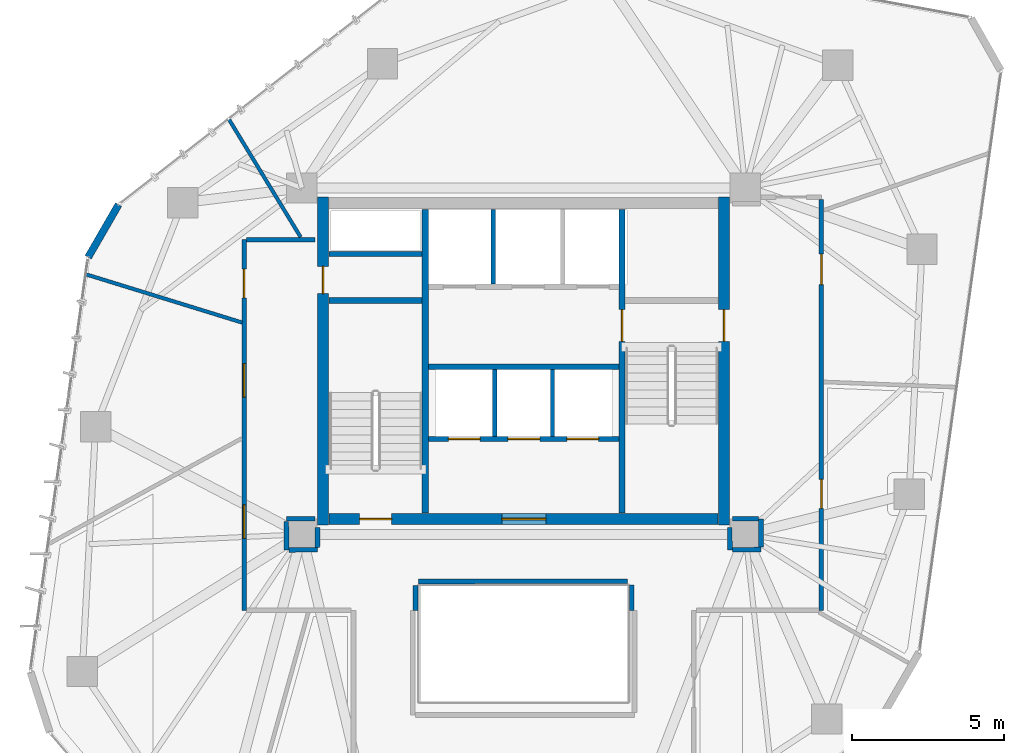
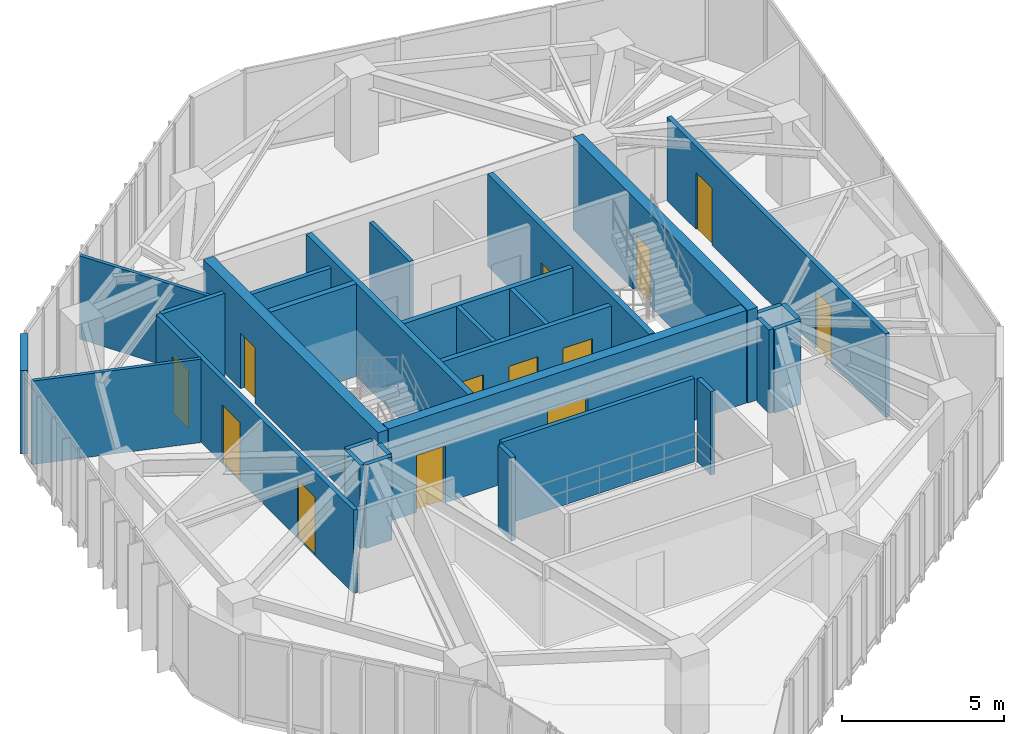
# One storey, part 18 of 21: 29 walls, 13 doors, 13 openings.
"""IFC4 building model written with IfcOpenShell, lengths in metres."""

from ifc_helpers import new_model, si_unit, direction, frame, frame_2d, origin, place, context, subcontext, project, spatial, rectangle, extrude, source, transform, mapped, material, layer, layer_set, type_object, type_shapes, element, fill, save


model = new_model("IFC4")

# Units and contexts
model_context = context("Model", 3, precision=1e-05, world=origin(), true_north=direction((0.0, 1.0)))
body_context = subcontext(model_context, "Body", "Model", "MODEL_VIEW")
ifc_project = project(units=[si_unit("LENGTHUNIT", "METRE"), si_unit("AREAUNIT", "SQUARE_METRE"), si_unit("VOLUMEUNIT", "CUBIC_METRE"), si_unit("PLANEANGLEUNIT", "RADIAN"), si_unit("MASSUNIT", "GRAM", prefix="KILO")], contexts=[model_context])

# Site, building, storey
site_placement = place(None, origin())
site = spatial("IfcSite", under=ifc_project, at=site_placement, CompositionType="ELEMENT")
building_placement = place(site_placement, origin())
building = spatial("IfcBuilding", under=site, at=building_placement, Name="Talar Marvaseh", CompositionType="ELEMENT")
storey_placement = place(building_placement, frame((0.0, 0.0, 232.699951171875)))
storey = spatial("IfcBuildingStorey", under=building, at=storey_placement, Name="L61", CompositionType="ELEMENT", Elevation=232.699951171875)

# Walls
ifc_material_1 = material(Name="Precast concrete C45/55", Category="concrete")
ifc_layer_1 = layer(ifc_material_1, 0.239990234375)
ifc_layer_set_1 = layer_set([ifc_layer_1], Name="Precast concrete C45/55")
wall_type_1 = type_object("IfcWallType", Name="Chamfered Hexagonal Corner Pier Wall Z3 240", PredefinedType="SOLIDWALL", material=ifc_layer_set_1)
wall_1_placement = place(storey_placement, frame((11.664306640625, 34.6201171875, 0.0), z_axis=(0.0, 0.0, 1.0), x_axis=(0.500031897912, 0.866006986733, 0.0)))
element("IfcWall", 1, at=wall_1_placement, inside=storey, type_object=wall_type_1, Name="L61 Chamfered Corner Limestone Pier 3", PredefinedType="SOLIDWALL", context=body_context, shape_type="SweptSolid", body=[
    extrude(rectangle(XDim=2.003173828125, YDim=0.239990234375, at=frame_2d((1.00146484375, 0.0))), origin(), (0.0, 0.0, 1.0), 3.150146484375),
])
ifc_material_2 = material(Name="Gypsum Board Partition Assembly")
ifc_layer_2 = layer(ifc_material_2, 0.155029296875)
ifc_layer_set_2 = layer_set([ifc_layer_2], Name="Gypsum Board Partition Assembly")
wall_type_2 = type_object("IfcWallType", Name="Corridor Fire-Rated Acoustic Partition 155", PredefinedType="PARTITIONING", material=ifc_layer_set_2)
wall_2_placement = place(storey_placement, frame((19.60009765625, 34.72998046875, 0.0), z_axis=(0.0, 0.0, 1.0), x_axis=(1.0, 0.0, 0.0)))
element("IfcWall", 2, at=wall_2_placement, inside=storey, type_object=wall_type_2, Name="L61 Core BOH Partition", PredefinedType="PARTITIONING", context=body_context, shape_type="SweptSolid", body=[
    extrude(rectangle(XDim=3.059814453125, YDim=0.155029296875, at=frame_2d((1.52978515625, 0.0))), origin(), (0.0, 0.0, 1.0), 3.150146484375),
])

# Wall, openings, doors
wall_3_placement = place(storey_placement, frame((16.800048828125, 23.0, 0.0), z_axis=(0.0, 0.0, 1.0), x_axis=(0.0, 1.0, 0.0)))
wall_3 = element("IfcWall", 3, at=wall_3_placement, inside=storey, type_object=wall_type_2, Name="L61 Interior Partition Wall", PredefinedType="PARTITIONING", context=body_context, shape_type="SweptSolid", body=[
    extrude(rectangle(XDim=12.199951171875, YDim=0.155029296875, at=frame_2d((6.10009765625, 0.0))), origin(), (0.0, 0.0, 1.0), 3.150146484375),
])
opening_1_placement = place(wall_3_placement, frame((2.36865234375, 0.0, 0.0)))
opening_1 = element("IfcOpeningElement", 4, at=opening_1_placement, cuts=wall_3, Name="Opening DR-RM110", PredefinedType="OPENING", context=body_context, shape_type="SweptSolid", body=[
    extrude(rectangle(XDim=1.10009765625, YDim=2.199951171875, at=frame_2d((0.550048828125, 1.10009765625))), frame((0.0, 0.08740234375, 0.0), z_axis=(0.0, -1.0, 0.0), x_axis=(1.0, 0.0, 0.0)), (0.0, 0.0, 1.0), 0.175048828125),
])
opening_2_placement = place(wall_3_placement, frame((10.281982421875, 0.0, 0.0)))
opening_2 = element("IfcOpeningElement", 5, at=opening_2_placement, cuts=wall_3, Name="Opening DR-WC095", PredefinedType="OPENING", context=body_context, shape_type="SweptSolid", body=[
    extrude(rectangle(XDim=0.949951171875, YDim=2.14990234375, at=frame_2d((0.47509765625, 1.074951171875))), frame((0.0, 0.08740234375, 0.0), z_axis=(0.0, -1.0, 0.0), x_axis=(1.0, 0.0, 0.0)), (0.0, 0.0, 1.0), 0.175048828125),
])
opening_3_placement = place(wall_3_placement, frame((7.01904296875, 0.0, 0.0)))
opening_3 = element("IfcOpeningElement", 6, at=opening_3_placement, cuts=wall_3, Name="Opening DR-RM110", PredefinedType="OPENING", context=body_context, shape_type="SweptSolid", body=[
    extrude(rectangle(XDim=1.10009765625, YDim=2.199951171875, at=frame_2d((0.550048828125, 1.10009765625))), frame((0.0, 0.08740234375, 0.0), z_axis=(0.0, -1.0, 0.0), x_axis=(1.0, 0.0, 0.0)), (0.0, 0.0, 1.0), 0.175048828125),
])
ifc_material_3 = material(Name="Acoustic Engineered Oak Timber", Category="wood")
door_type_1 = type_object("IfcDoorType", Name="Washroom and Service Room Door 950x2150", OperationType="NOTDEFINED", PredefinedType="DOOR", material=ifc_material_3)
shared_shape_1 = source(origin(), body_context, "Body", "SweptSolid", [
    extrude(rectangle(XDim=0.949951171875, YDim=2.14990234375, at=frame_2d((0.47509765625, 1.074951171875))), frame((0.0, 0.02490234375, 0.0), z_axis=(0.0, -1.0, 0.0), x_axis=(1.0, 0.0, 0.0)), (0.0, 0.0, 1.0), 0.050048828125),
])
type_shapes(door_type_1, [shared_shape_1])
door_1_placement = place(opening_2_placement, origin())
door_1 = element("IfcDoor", 7, at=door_1_placement, inside=storey, type_object=door_type_1, Name="L61 WC Public Washrooms Door", OperationType="SINGLE_SWING_RIGHT", OverallHeight=2.14990234375, OverallWidth=0.949951171875, PredefinedType="DOOR", context=body_context, shape_type="MappedRepresentation", body=[
    mapped(shared_shape_1, transform((0.0, 0.0, 0.0), x_axis=(1.0, 0.0, 0.0), y_axis=(0.0, 1.0, 0.0), z_axis=(0.0, 0.0, 1.0), scale=1.0)),
])
fill(opening_2, door_1)
door_type_2 = type_object("IfcDoorType", Name="Assembly and Reading Hall Door 1100x2200", OperationType="NOTDEFINED", PredefinedType="DOOR", material=ifc_material_3)
shared_shape_2 = source(origin(), body_context, "Body", "SweptSolid", [
    extrude(rectangle(XDim=1.10009765625, YDim=2.199951171875, at=frame_2d((0.550048828125, 1.10009765625))), frame((0.0, 0.02490234375, 0.0), z_axis=(0.0, -1.0, 0.0), x_axis=(1.0, 0.0, 0.0)), (0.0, 0.0, 1.0), 0.050048828125),
])
type_shapes(door_type_2, [shared_shape_2])
door_2_placement = place(opening_1_placement, origin())
door_2 = element("IfcDoor", 8, at=door_2_placement, inside=storey, type_object=door_type_2, Name="L61 Gallery Concierge Reception Door", OperationType="SINGLE_SWING_RIGHT", OverallHeight=2.199951171875, OverallWidth=1.10009765625, PredefinedType="DOOR", context=body_context, shape_type="MappedRepresentation", body=[
    mapped(shared_shape_2, transform((0.0, 0.0, 0.0), x_axis=(1.0, 0.0, 0.0), y_axis=(0.0, 1.0, 0.0), z_axis=(0.0, 0.0, 1.0), scale=1.0)),
])
fill(opening_1, door_2)
door_3_placement = place(opening_3_placement, origin())
door_3 = element("IfcDoor", 9, at=door_3_placement, inside=storey, type_object=door_type_2, Name="L61 Gallery Security Control Room Door", OperationType="SINGLE_SWING_LEFT", OverallHeight=2.199951171875, OverallWidth=1.10009765625, PredefinedType="DOOR", context=body_context, shape_type="MappedRepresentation", body=[
    mapped(shared_shape_2, transform((0.0, 0.0, 0.0), x_axis=(1.0, 0.0, 0.0), y_axis=(0.0, 1.0, 0.0), z_axis=(0.0, 0.0, 1.0), scale=1.0)),
])
fill(opening_3, door_3)

wall_4_placement = place(storey_placement, frame((35.800048828125, 36.5166015625, 0.0), z_axis=(0.0, 0.0, 1.0), x_axis=(0.0, -1.0, 0.0)))
wall_4 = element("IfcWall", 10, at=wall_4_placement, inside=storey, type_object=wall_type_2, Name="L61 Interior Partition Wall", PredefinedType="PARTITIONING", context=body_context, shape_type="SweptSolid", body=[
    extrude(rectangle(XDim=13.5166015625, YDim=0.155029296875, at=frame_2d((6.75830078125, 0.0))), origin(), (0.0, 0.0, 1.0), 3.150146484375),
])
opening_4_placement = place(wall_4_placement, frame((9.210693359375, 0.0, 0.0)))
opening_4 = element("IfcOpeningElement", 11, at=opening_4_placement, cuts=wall_4, Name="Opening DR-WC095", PredefinedType="OPENING", context=body_context, shape_type="SweptSolid", body=[
    extrude(rectangle(XDim=0.949951171875, YDim=2.14990234375, at=frame_2d((0.47509765625, 1.074951171875))), frame((0.0, 0.08740234375, 0.0), z_axis=(0.0, -1.0, 0.0), x_axis=(1.0, 0.0, 0.0)), (0.0, 0.0, 1.0), 0.175048828125),
])
opening_5_placement = place(wall_4_placement, frame((1.794189453125, 0.0, 0.0)))
opening_5 = element("IfcOpeningElement", 12, at=opening_5_placement, cuts=wall_4, Name="Opening DR-RM100", PredefinedType="OPENING", context=body_context, shape_type="SweptSolid", body=[
    extrude(rectangle(XDim=1.0, YDim=2.14990234375, at=frame_2d((0.5, 1.074951171875))), frame((0.0, 0.08740234375, 0.0), z_axis=(0.0, -1.0, 0.0), x_axis=(1.0, 0.0, 0.0)), (0.0, 0.0, 1.0), 0.175048828125),
])
door_4_placement = place(opening_4_placement, origin())
door_4 = element("IfcDoor", 13, at=door_4_placement, inside=storey, type_object=door_type_1, Name="L61 Accessible WC Block Door", OperationType="SINGLE_SWING_LEFT", OverallHeight=2.14990234375, OverallWidth=0.949951171875, PredefinedType="DOOR", context=body_context, shape_type="MappedRepresentation", body=[
    mapped(shared_shape_1, transform((0.0, 0.0, 0.0), x_axis=(1.0, 0.0, 0.0), y_axis=(0.0, 1.0, 0.0), z_axis=(0.0, 0.0, 1.0), scale=1.0)),
])
fill(opening_4, door_4)
door_type_3 = type_object("IfcDoorType", Name="Corridor Fire-Rated Gallery Door 1000x2150", OperationType="NOTDEFINED", PredefinedType="DOOR", material=ifc_material_3)
shared_shape_3 = source(origin(), body_context, "Body", "SweptSolid", [
    extrude(rectangle(XDim=1.0, YDim=2.14990234375, at=frame_2d((0.5, 1.074951171875))), frame((0.0, 0.02490234375, 0.0), z_axis=(0.0, -1.0, 0.0), x_axis=(1.0, 0.0, 0.0)), (0.0, 0.0, 1.0), 0.050048828125),
])
type_shapes(door_type_3, [shared_shape_3])
door_5_placement = place(opening_5_placement, origin())
door_5 = element("IfcDoor", 14, at=door_5_placement, inside=storey, type_object=door_type_3, Name="L61 Registrar Mail and Post Room Door", OperationType="SINGLE_SWING_RIGHT", OverallHeight=2.14990234375, OverallWidth=1.0, PredefinedType="DOOR", context=body_context, shape_type="MappedRepresentation", body=[
    mapped(shared_shape_3, transform((0.0, 0.0, 0.0), x_axis=(1.0, 0.0, 0.0), y_axis=(0.0, 1.0, 0.0), z_axis=(0.0, 0.0, 1.0), scale=1.0)),
])
fill(opening_5, door_5)

# Walls
wall_5_placement = place(storey_placement, frame((16.883544921875, 35.199951171875, 0.0), z_axis=(0.0, 0.0, 1.0), x_axis=(1.0, 0.0, 0.0)))
element("IfcWall", 15, at=wall_5_placement, inside=storey, type_object=wall_type_2, Name="L61 Interior Partition Wall", PredefinedType="PARTITIONING", context=body_context, shape_type="SweptSolid", body=[
    extrude(rectangle(XDim=2.246337890625, YDim=0.155029296875, at=frame_2d((1.123046875, 0.0))), origin(), (0.0, 0.0, 1.0), 3.150146484375),
])
wall_6_placement = place(storey_placement, frame((19.1298828125, 26.0146484375, 0.0), z_axis=(0.0, 0.0, 1.0), x_axis=(-0.99999026157, -0.004413248818, 0.0)))
element("IfcWall", 16, at=wall_6_placement, inside=storey, type_object=wall_type_2, Name="L61 Interior Partition Wall", PredefinedType="PARTITIONING", context=body_context, shape_type="SweptSolid", body=[
    extrude(rectangle(XDim=0.9404296875, YDim=0.155029296875, at=frame_2d((0.47021484375, 0.0))), origin(), (0.0, 0.0, 1.0), 3.150146484375),
])
wall_7_placement = place(storey_placement, frame((18.189697265625, 25.927001953125, 0.0), z_axis=(0.0, 0.0, 1.0), x_axis=(0.002078997586, -0.999997838882, 0.0)))
element("IfcWall", 17, at=wall_7_placement, inside=storey, type_object=wall_type_2, Name="L61 Interior Partition Wall", PredefinedType="PARTITIONING", context=body_context, shape_type="SweptSolid", body=[
    extrude(rectangle(XDim=0.939453125, YDim=0.155029296875, at=frame_2d((0.4697265625, 0.0))), origin(), (0.0, 0.0, 1.0), 3.150146484375),
])
wall_8_placement = place(storey_placement, frame((18.275146484375, 24.987548828125, 0.0), z_axis=(0.0, 0.0, 1.0), x_axis=(0.999999692748, 0.0007839036, 0.0)))
element("IfcWall", 18, at=wall_8_placement, inside=storey, type_object=wall_type_2, Name="L61 Interior Partition Wall", PredefinedType="PARTITIONING", context=body_context, shape_type="SweptSolid", body=[
    extrude(rectangle(XDim=0.934326171875, YDim=0.155029296875, at=frame_2d((0.46728515625, 0.0))), origin(), (0.0, 0.0, 1.0), 3.150146484375),
])
wall_9_placement = place(storey_placement, frame((19.210205078125, 25.072021484375, 0.0), z_axis=(0.0, 0.0, 1.0), x_axis=(0.007420945932, 0.999972464402, 0.0)))
element("IfcWall", 19, at=wall_9_placement, inside=storey, type_object=wall_type_2, Name="L61 Interior Partition Wall", PredefinedType="PARTITIONING", context=body_context, shape_type="SweptSolid", body=[
    extrude(rectangle(XDim=0.657958984375, YDim=0.155029296875, at=frame_2d((0.3291015625, 0.0))), origin(), (0.0, 0.0, 1.0), 3.150146484375),
])
wall_10_placement = place(storey_placement, frame((32.784912109375, 25.72998046875, 0.0), z_axis=(0.0, 0.0, 1.0), x_axis=(0.007570553288, -0.999971342951, 0.0)))
element("IfcWall", 20, at=wall_10_placement, inside=storey, type_object=wall_type_2, Name="L61 Interior Partition Wall", PredefinedType="PARTITIONING", context=body_context, shape_type="SweptSolid", body=[
    extrude(rectangle(XDim=0.74169921875, YDim=0.155029296875, at=frame_2d((0.370849609375, 0.0))), origin(), (0.0, 0.0, 1.0), 3.150146484375),
])
wall_11_placement = place(storey_placement, frame((32.8740234375, 24.9892578125, 0.0), z_axis=(0.0, 0.0, 1.0), x_axis=(0.999934835738, 0.01141596595, 0.0)))
element("IfcWall", 21, at=wall_11_placement, inside=storey, type_object=wall_type_2, Name="L61 Interior Partition Wall", PredefinedType="PARTITIONING", context=body_context, shape_type="SweptSolid", body=[
    extrude(rectangle(XDim=0.94091796875, YDim=0.155029296875, at=frame_2d((0.470458984375, 0.0))), origin(), (0.0, 0.0, 1.0), 3.150146484375),
])
wall_12_placement = place(storey_placement, frame((33.814697265625, 25.08349609375, 0.0), z_axis=(0.0, 0.0, 1.0), x_axis=(-0.004477173984, 0.999989977406, 0.0)))
element("IfcWall", 22, at=wall_12_placement, inside=storey, type_object=wall_type_2, Name="L61 Interior Partition Wall", PredefinedType="PARTITIONING", context=body_context, shape_type="SweptSolid", body=[
    extrude(rectangle(XDim=0.927001953125, YDim=0.155029296875, at=frame_2d((0.46337890625, 0.0))), origin(), (0.0, 0.0, 1.0), 3.150146484375),
])
wall_13_placement = place(storey_placement, frame((33.72705078125, 26.010986328125, 0.0), z_axis=(0.0, 0.0, 1.0), x_axis=(-0.999990868706, 0.004273465251, 0.0)))
element("IfcWall", 23, at=wall_13_placement, inside=storey, type_object=wall_type_2, Name="L61 Interior Partition Wall", PredefinedType="PARTITIONING", context=body_context, shape_type="SweptSolid", body=[
    extrude(rectangle(XDim=0.85693359375, YDim=0.155029296875, at=frame_2d((0.428466796875, 0.0))), origin(), (0.0, 0.0, 1.0), 3.150146484375),
])
wall_14_placement = place(storey_placement, frame((29.415771484375, 23.959228515625, 0.0), z_axis=(0.0, 0.0, 1.0), x_axis=(-0.999998607957, -0.001668557745, 0.0)))
element("IfcWall", 24, at=wall_14_placement, inside=storey, type_object=wall_type_2, Name="L61 Interior Partition Wall", PredefinedType="PARTITIONING", context=body_context, shape_type="SweptSolid", body=[
    extrude(rectangle(XDim=6.876953125, YDim=0.155029296875, at=frame_2d((3.4384765625, 0.0))), origin(), (0.0, 0.0, 1.0), 3.150146484375),
])
wall_15_placement = place(storey_placement, frame((22.44091796875, 23.815673828125, 0.0), z_axis=(0.0, 0.0, 1.0), x_axis=(-0.001197245475, -0.999999283301, 0.0)))
element("IfcWall", 25, at=wall_15_placement, inside=storey, type_object=wall_type_2, Name="L61 Interior Partition Wall", PredefinedType="PARTITIONING", context=body_context, shape_type="SweptSolid", body=[
    extrude(rectangle(XDim=0.815673828125, YDim=0.155029296875, at=frame_2d((0.40771484375, 0.0))), origin(), (0.0, 0.0, 1.0), 3.150146484375),
])
wall_16_placement = place(storey_placement, frame((29.56005859375, 23.0, 0.0), z_axis=(0.0, 0.0, 1.0), x_axis=(-0.003817887006, 0.999992711843, 0.0)))
element("IfcWall", 26, at=wall_16_placement, inside=storey, type_object=wall_type_2, Name="L61 Interior Partition Wall", PredefinedType="PARTITIONING", context=body_context, shape_type="SweptSolid", body=[
    extrude(rectangle(XDim=0.831298828125, YDim=0.155029296875, at=frame_2d((0.41552734375, 0.0))), origin(), (0.0, 0.0, 1.0), 3.150146484375),
])
ifc_layer_3 = layer(ifc_material_2, 0.1201171875)
ifc_layer_set_3 = layer_set([ifc_layer_3], Name="Gypsum Board Partition Assembly")
wall_type_3 = type_object("IfcWallType", Name="Demountable Studio Room Partition 120", PredefinedType="PARTITIONING", material=ifc_layer_set_3)
wall_17_placement = place(storey_placement, frame((18.6591796875, 35.283447265625, 0.0), z_axis=(0.0, 0.0, 1.0), x_axis=(-0.52008515909, 0.854114411127, 0.0)))
element("IfcWall", 27, at=wall_17_placement, inside=storey, type_object=wall_type_3, Name="L61 Interior Partition Wall", PredefinedType="PARTITIONING", context=body_context, shape_type="SweptSolid", body=[
    extrude(rectangle(XDim=4.538818359375, YDim=0.1201171875, at=frame_2d((2.26953125, 0.0))), origin(), (0.0, 0.0, 1.0), 3.150146484375),
])
wall_18_placement = place(storey_placement, frame((16.73779296875, 32.46923828125, 0.0), z_axis=(0.0, 0.0, 1.0), x_axis=(-0.955493535914, 0.295012038443, 0.0)))
element("IfcWall", 28, at=wall_18_placement, inside=storey, type_object=wall_type_3, Name="L61 Interior Partition Wall", PredefinedType="PARTITIONING", context=body_context, shape_type="SweptSolid", body=[
    extrude(rectangle(XDim=5.370849609375, YDim=0.1201171875, at=frame_2d((2.685546875, 0.0))), origin(), (0.0, 0.0, 1.0), 3.150146484375),
])
ifc_layer_4 = layer(ifc_material_1, 0.14501953125)
ifc_layer_set_4 = layer_set([ifc_layer_4], Name="Precast concrete C45/55")
wall_type_4 = type_object("IfcWallType", Name="Fire-Rated Lift Divider Wall 145", PredefinedType="SOLIDWALL", material=ifc_layer_set_4)
wall_19_placement = place(storey_placement, frame((25.0, 33.743408203125, 0.0), z_axis=(0.0, 0.0, 1.0), x_axis=(0.0, 1.0, 0.0)))
element("IfcWall", 29, at=wall_19_placement, inside=storey, type_object=wall_type_4, Name="L61 FFL-1/FFL-2 Divider", PredefinedType="SOLIDWALL", context=body_context, shape_type="SweptSolid", body=[
    extrude(rectangle(XDim=2.45654296875, YDim=0.14501953125, at=frame_2d((1.228271484375, 0.0))), origin(), (0.0, 0.0, 1.0), 3.150146484375),
])
for number, where, z_axis, x_axis, name in (
    (30, (25.050048828125, 28.719970703125, 0.0), (0.0, 0.0, 1.0), (0.0, 1.0, 0.0), "L61 PL-H1/PL-H2 Divider"),
    (31, (26.949951171875, 28.719970703125, 0.0), (0.0, 0.0, 1.0), (0.0, 1.0, 0.0), "L61 PL-H2/PL-H3 Divider"),
):
    element("IfcWall", number, at=place(storey_placement, frame(where, z_axis=z_axis, x_axis=x_axis)), inside=storey, type_object=wall_type_4, Name=name, PredefinedType="SOLIDWALL", context=body_context, shape_type="SweptSolid", body=[
        extrude(rectangle(XDim=2.20654296875, YDim=0.14501953125, at=frame_2d((1.103271484375, 0.0))), origin(), (0.0, 0.0, 1.0), 3.150146484375),
    ])
ifc_layer_5 = layer(ifc_material_1, 0.175048828125)
ifc_layer_set_5 = layer_set([ifc_layer_5], Name="Precast concrete C45/55")
wall_type_5 = type_object("IfcWallType", Name="Fire-Rated Lift Hoistway Enclosure Wall 175", PredefinedType="SOLIDWALL", material=ifc_layer_set_5)
wall_20_placement = place(storey_placement, frame((22.860107421875, 31.02001953125, 0.0), z_axis=(0.0, 0.0, 1.0), x_axis=(1.0, 0.0, 0.0)))
element("IfcWall", 32, at=wall_20_placement, inside=storey, type_object=wall_type_5, Name="L61 Firefighting Lobby South Smoke Wall", PredefinedType="SOLIDWALL", context=body_context, shape_type="SweptSolid", body=[
    extrude(rectangle(XDim=6.27978515625, YDim=0.175048828125, at=frame_2d((3.139892578125, 0.0))), origin(), (0.0, 0.0, 1.0), 3.150146484375),
])

# Wall, openings, doors
wall_21_placement = place(storey_placement, frame((22.860107421875, 28.639892578125, 0.0), z_axis=(0.0, 0.0, 1.0), x_axis=(1.0, 0.0, 0.0)))
wall_21 = element("IfcWall", 33, at=wall_21_placement, inside=storey, type_object=wall_type_5, Name="L61 High-Rise Lift Bank Front Wall", PredefinedType="SOLIDWALL", context=body_context, shape_type="SweptSolid", body=[
    extrude(rectangle(XDim=6.27978515625, YDim=0.175048828125, at=frame_2d((3.139892578125, 0.0))), origin(), (0.0, 0.0, 1.0), 3.150146484375),
])
opening_6_placement = place(wall_21_placement, frame((0.659912109375, 0.0, 0.0)))
opening_6 = element("IfcOpeningElement", 34, at=opening_6_placement, cuts=wall_21, Name="Opening LD-PLH1", PredefinedType="OPENING", context=body_context, shape_type="SweptSolid", body=[
    extrude(rectangle(XDim=1.050048828125, YDim=2.14990234375, at=frame_2d((0.52490234375, 1.074951171875))), frame((0.0, 0.09765625, 0.0), z_axis=(0.0, -1.0, 0.0), x_axis=(1.0, 0.0, 0.0)), (0.0, 0.0, 1.0), 0.195068359375),
])
opening_7_placement = place(wall_21_placement, frame((2.6201171875, 0.0, 0.0)))
opening_7 = element("IfcOpeningElement", 35, at=opening_7_placement, cuts=wall_21, Name="Opening LD-PLH2", PredefinedType="OPENING", context=body_context, shape_type="SweptSolid", body=[
    extrude(rectangle(XDim=1.050048828125, YDim=2.14990234375, at=frame_2d((0.52490234375, 1.074951171875))), frame((0.0, 0.09765625, 0.0), z_axis=(0.0, -1.0, 0.0), x_axis=(1.0, 0.0, 0.0)), (0.0, 0.0, 1.0), 0.195068359375),
])
opening_8_placement = place(wall_21_placement, frame((4.56005859375, 0.0, 0.0)))
opening_8 = element("IfcOpeningElement", 36, at=opening_8_placement, cuts=wall_21, Name="Opening LD-PLH3", PredefinedType="OPENING", context=body_context, shape_type="SweptSolid", body=[
    extrude(rectangle(XDim=1.050048828125, YDim=2.14990234375, at=frame_2d((0.52490234375, 1.074951171875))), frame((0.0, 0.09765625, 0.0), z_axis=(0.0, -1.0, 0.0), x_axis=(1.0, 0.0, 0.0)), (0.0, 0.0, 1.0), 0.195068359375),
])
ifc_material_4 = material(Name="Stainless Steel Grade 316", Category="steel")
door_type_4 = type_object("IfcDoorType", Name="Automatic Sliding Lift Landing Door 1050x2150", OperationType="NOTDEFINED", PredefinedType="DOOR", material=ifc_material_4)
shared_shape_4 = source(origin(), body_context, "Body", "SweptSolid", [
    extrude(rectangle(XDim=1.050048828125, YDim=2.14990234375, at=frame_2d((0.52490234375, 1.074951171875))), frame((0.0, 0.02490234375, 0.0), z_axis=(0.0, -1.0, 0.0), x_axis=(1.0, 0.0, 0.0)), (0.0, 0.0, 1.0), 0.050048828125),
])
type_shapes(door_type_4, [shared_shape_4])
door_6_placement = place(opening_6_placement, origin())
door_6 = element("IfcDoor", 37, at=door_6_placement, inside=storey, type_object=door_type_4, Name="L61 Lift PL-H1 Sliding Landing Door", OperationType="SLIDING_TO_LEFT", OverallHeight=2.14990234375, OverallWidth=1.050048828125, PredefinedType="DOOR", context=body_context, shape_type="MappedRepresentation", body=[
    mapped(shared_shape_4, transform((0.0, 0.0, 0.0), x_axis=(1.0, 0.0, 0.0), y_axis=(0.0, 1.0, 0.0), z_axis=(0.0, 0.0, 1.0), scale=1.0)),
])
fill(opening_6, door_6)
door_7_placement = place(opening_7_placement, origin())
door_7 = element("IfcDoor", 38, at=door_7_placement, inside=storey, type_object=door_type_4, Name="L61 Lift PL-H2 Sliding Landing Door", OperationType="SLIDING_TO_LEFT", OverallHeight=2.14990234375, OverallWidth=1.050048828125, PredefinedType="DOOR", context=body_context, shape_type="MappedRepresentation", body=[
    mapped(shared_shape_4, transform((0.0, 0.0, 0.0), x_axis=(1.0, 0.0, 0.0), y_axis=(0.0, 1.0, 0.0), z_axis=(0.0, 0.0, 1.0), scale=1.0)),
])
fill(opening_7, door_7)
door_8_placement = place(opening_8_placement, origin())
door_8 = element("IfcDoor", 39, at=door_8_placement, inside=storey, type_object=door_type_4, Name="L61 Lift PL-H3 Sliding Landing Door", OperationType="SLIDING_TO_LEFT", OverallHeight=2.14990234375, OverallWidth=1.050048828125, PredefinedType="DOOR", context=body_context, shape_type="MappedRepresentation", body=[
    mapped(shared_shape_4, transform((0.0, 0.0, 0.0), x_axis=(1.0, 0.0, 0.0), y_axis=(0.0, 1.0, 0.0), z_axis=(0.0, 0.0, 1.0), scale=1.0)),
])
fill(opening_8, door_8)

# Wall
ifc_material_5 = material(Name="Concrete C50/60", Category="concrete")
ifc_layer_6 = layer(ifc_material_5, 0.199951171875)
ifc_layer_set_6 = layer_set([ifc_layer_6], Name="Concrete C50/60")
wall_type_6 = type_object("IfcWallType", Name="Stair Shaft Structural Concrete Shear Wall 200", PredefinedType="SHEAR", material=ifc_layer_set_6)
wall_22_placement = place(storey_placement, frame((22.760009765625, 26.199951171875, 0.0), z_axis=(0.0, 0.0, 1.0), x_axis=(0.0, 1.0, 0.0)))
element("IfcWall", 40, at=wall_22_placement, inside=storey, type_object=wall_type_6, Name="L61 Core West Stair Shear Wall", PredefinedType="SHEAR", context=body_context, shape_type="SweptSolid", body=[
    extrude(rectangle(XDim=10.0, YDim=0.199951171875, at=frame_2d((5.0, 0.0))), origin(), (0.0, 0.0, 1.0), 3.5),
])

# Wall, opening, door
wall_23_placement = place(storey_placement, frame((29.239990234375, 26.199951171875, 0.0), z_axis=(0.0, 0.0, 1.0), x_axis=(0.0, 1.0, 0.0)))
wall_23 = element("IfcWall", 41, at=wall_23_placement, inside=storey, type_object=wall_type_6, Name="L61 Core East Stair Shear Wall", PredefinedType="SHEAR", context=body_context, shape_type="SweptSolid", body=[
    extrude(rectangle(XDim=10.0, YDim=0.199951171875, at=frame_2d((5.0, 0.0))), origin(), (0.0, 0.0, 1.0), 3.5),
])
opening_9_placement = place(wall_23_placement, frame((5.64990234375, 0.0, 0.0)))
opening_9 = element("IfcOpeningElement", 42, at=opening_9_placement, cuts=wall_23, Name="Opening DR-ST105", PredefinedType="OPENING", context=body_context, shape_type="SweptSolid", body=[
    extrude(rectangle(XDim=1.050048828125, YDim=2.14990234375, at=frame_2d((0.52490234375, 1.074951171875))), frame((0.0, 0.10986328125, 0.0), z_axis=(0.0, -1.0, 0.0), x_axis=(1.0, 0.0, 0.0)), (0.0, 0.0, 1.0), 0.219970703125),
])
ifc_material_6 = material(Name="Fire-Rated Steel Door Leaf", Category="steel")
door_type_5 = type_object("IfcDoorType", Name="Protected Exit Stair Fire Door 1050x2150", OperationType="NOTDEFINED", PredefinedType="DOOR", material=ifc_material_6)
shared_shape_5 = source(origin(), body_context, "Body", "SweptSolid", [
    extrude(rectangle(XDim=1.050048828125, YDim=2.14990234375, at=frame_2d((0.52490234375, 1.074951171875))), frame((0.0, 0.02490234375, 0.0), z_axis=(0.0, -1.0, 0.0), x_axis=(1.0, 0.0, 0.0)), (0.0, 0.0, 1.0), 0.050048828125),
])
type_shapes(door_type_5, [shared_shape_5])
door_9_placement = place(opening_9_placement, origin())
door_9 = element("IfcDoor", 43, at=door_9_placement, inside=storey, type_object=door_type_5, Name="L61 Firefighting Lobby to Stair ST-2 Door", OperationType="SINGLE_SWING_LEFT", OverallHeight=2.14990234375, OverallWidth=1.050048828125, PredefinedType="DOOR", context=body_context, shape_type="MappedRepresentation", body=[
    mapped(shared_shape_5, transform((0.0, 0.0, 0.0), x_axis=(1.0, 0.0, 0.0), y_axis=(0.0, 1.0, 0.0), z_axis=(0.0, 0.0, 1.0), scale=1.0)),
])
fill(opening_9, door_9)

# Wall
wall_24_placement = place(storey_placement, frame((19.60009765625, 33.199951171875, 0.0), z_axis=(0.0, 0.0, 1.0), x_axis=(1.0, 0.0, 0.0)))
element("IfcWall", 44, at=wall_24_placement, inside=storey, type_object=wall_type_6, Name="L61 Stair ST-1 North Shear Wall", PredefinedType="SHEAR", context=body_context, shape_type="SweptSolid", body=[
    extrude(rectangle(XDim=3.059814453125, YDim=0.199951171875, at=frame_2d((1.52978515625, 0.0))), origin(), (0.0, 0.0, 1.0), 3.5),
])

# Wall, opening, door
ifc_layer_7 = layer(ifc_material_5, 0.360107421875)
ifc_layer_set_7 = layer_set([ifc_layer_7], Name="Concrete C50/60")
wall_type_7 = type_object("IfcWallType", Name="Upper Core Reinforced Concrete Shear Wall 360", PredefinedType="SHEAR", material=ifc_layer_set_7)
wall_25_placement = place(storey_placement, frame((19.39990234375, 25.800048828125, 0.0), z_axis=(0.0, 0.0, 1.0), x_axis=(0.0, 1.0, 0.0)))
wall_25 = element("IfcWall", 45, at=wall_25_placement, inside=storey, type_object=wall_type_7, Name="L61 West Core Shear Wall", PredefinedType="SHEAR", context=body_context, shape_type="SweptSolid", body=[
    extrude(rectangle(XDim=10.800048828125, YDim=0.360107421875, at=frame_2d((5.39990234375, 0.0))), origin(), (0.0, 0.0, 1.0), 3.5),
])
opening_10_placement = place(wall_25_placement, frame((7.6201171875, 0.0, 0.0)))
opening_10 = element("IfcOpeningElement", 46, at=opening_10_placement, cuts=wall_25, Name="Opening DR-BOH090", PredefinedType="OPENING", context=body_context, shape_type="SweptSolid", body=[
    extrude(rectangle(XDim=0.89990234375, YDim=2.10009765625, at=frame_2d((0.449951171875, 1.050048828125))), frame((0.0, 0.18994140625, 0.0), z_axis=(0.0, -1.0, 0.0), x_axis=(1.0, 0.0, 0.0)), (0.0, 0.0, 1.0), 0.380126953125),
])
door_type_6 = type_object("IfcDoorType", Name="Core Back-of-House Service Door 900x2100", OperationType="NOTDEFINED", PredefinedType="DOOR", material=ifc_material_6)
shared_shape_6 = source(origin(), body_context, "Body", "SweptSolid", [
    extrude(rectangle(XDim=0.89990234375, YDim=2.10009765625, at=frame_2d((0.449951171875, 1.050048828125))), frame((0.0, 0.02490234375, 0.0), z_axis=(0.0, -1.0, 0.0), x_axis=(1.0, 0.0, 0.0)), (0.0, 0.0, 1.0), 0.050048828125),
])
type_shapes(door_type_6, [shared_shape_6])
door_10_placement = place(opening_10_placement, origin())
door_10 = element("IfcDoor", 47, at=door_10_placement, inside=storey, type_object=door_type_6, Name="L61 Cleaner Core West Closet Door", OperationType="SINGLE_SWING_LEFT", OverallHeight=2.10009765625, OverallWidth=0.89990234375, PredefinedType="DOOR", context=body_context, shape_type="MappedRepresentation", body=[
    mapped(shared_shape_6, transform((0.0, 0.0, 0.0), x_axis=(1.0, 0.0, 0.0), y_axis=(0.0, 1.0, 0.0), z_axis=(0.0, 0.0, 1.0), scale=1.0)),
])
fill(opening_10, door_10)

wall_26_placement = place(storey_placement, frame((32.60009765625, 36.60009765625, 0.0), z_axis=(0.0, 0.0, 1.0), x_axis=(0.0, -1.0, 0.0)))
wall_26 = element("IfcWall", 48, at=wall_26_placement, inside=storey, type_object=wall_type_7, Name="L61 East Core Shear Wall", PredefinedType="SHEAR", context=body_context, shape_type="SweptSolid", body=[
    extrude(rectangle(XDim=10.800048828125, YDim=0.360107421875, at=frame_2d((5.39990234375, 0.0))), origin(), (0.0, 0.0, 1.0), 3.5),
])
opening_11_placement = place(wall_26_placement, frame((3.699951171875, 0.0, 0.0)))
opening_11 = element("IfcOpeningElement", 49, at=opening_11_placement, cuts=wall_26, Name="Opening DR-ST105", PredefinedType="OPENING", context=body_context, shape_type="SweptSolid", body=[
    extrude(rectangle(XDim=1.050048828125, YDim=2.14990234375, at=frame_2d((0.52490234375, 1.074951171875))), frame((0.0, 0.18994140625, 0.0), z_axis=(0.0, -1.0, 0.0), x_axis=(1.0, 0.0, 0.0)), (0.0, 0.0, 1.0), 0.380126953125),
])
door_11_placement = place(opening_11_placement, origin())
door_11 = element("IfcDoor", 50, at=door_11_placement, inside=storey, type_object=door_type_5, Name="L61 Stair ST-2 Corridor Exit Door", OperationType="SINGLE_SWING_LEFT", OverallHeight=2.14990234375, OverallWidth=1.050048828125, PredefinedType="DOOR", context=body_context, shape_type="MappedRepresentation", body=[
    mapped(shared_shape_5, transform((0.0, 0.0, 0.0), x_axis=(1.0, 0.0, 0.0), y_axis=(0.0, 1.0, 0.0), z_axis=(0.0, 0.0, 1.0), scale=1.0)),
])
fill(opening_11, door_11)

# Wall, openings, doors
wall_27_placement = place(storey_placement, frame((32.39990234375, 26.0, 0.0), z_axis=(0.0, 0.0, 1.0), x_axis=(-1.0, 0.0, 0.0)))
wall_27 = element("IfcWall", 51, at=wall_27_placement, inside=storey, type_object=wall_type_7, Name="L61 South Core Shear Wall", PredefinedType="SHEAR", context=body_context, shape_type="SweptSolid", body=[
    extrude(rectangle(XDim=12.7998046875, YDim=0.360107421875, at=frame_2d((6.39990234375, 0.0))), origin(), (0.0, 0.0, 1.0), 3.5),
])
opening_12_placement = place(wall_27_placement, frame((10.75, 0.0, 0.0)))
opening_12 = element("IfcOpeningElement", 52, at=opening_12_placement, cuts=wall_27, Name="Opening DR-ST105", PredefinedType="OPENING", context=body_context, shape_type="SweptSolid", body=[
    extrude(rectangle(XDim=1.050048828125, YDim=2.14990234375, at=frame_2d((0.52490234375, 1.074951171875))), frame((0.0, 0.18994140625, 0.0), z_axis=(0.0, -1.0, 0.0), x_axis=(1.0, 0.0, 0.0)), (0.0, 0.0, 1.0), 0.380126953125),
])
opening_13_placement = place(wall_27_placement, frame((5.669921875, 0.0, 0.0)))
opening_13 = element("IfcOpeningElement", 53, at=opening_13_placement, cuts=wall_27, Name="Opening DR-LBY145", PredefinedType="OPENING", context=body_context, shape_type="SweptSolid", body=[
    extrude(rectangle(XDim=1.449951171875, YDim=2.199951171875, at=frame_2d((0.72509765625, 1.10009765625))), frame((0.0, 0.18994140625, 0.0), z_axis=(0.0, -1.0, 0.0), x_axis=(1.0, 0.0, 0.0)), (0.0, 0.0, 1.0), 0.380126953125),
])
door_12_placement = place(opening_12_placement, origin())
door_12 = element("IfcDoor", 54, at=door_12_placement, inside=storey, type_object=door_type_5, Name="L61 Stair ST-1 Exit Door", OperationType="SINGLE_SWING_RIGHT", OverallHeight=2.14990234375, OverallWidth=1.050048828125, PredefinedType="DOOR", context=body_context, shape_type="MappedRepresentation", body=[
    mapped(shared_shape_5, transform((0.0, 0.0, 0.0), x_axis=(1.0, 0.0, 0.0), y_axis=(0.0, 1.0, 0.0), z_axis=(0.0, 0.0, 1.0), scale=1.0)),
])
fill(opening_12, door_12)
door_type_7 = type_object("IfcDoorType", Name="Core Lift Lobby Double Smoke Door 1450x2200", OperationType="NOTDEFINED", PredefinedType="DOOR", material=ifc_material_6)
shared_shape_7 = source(origin(), body_context, "Body", "SweptSolid", [
    extrude(rectangle(XDim=1.449951171875, YDim=2.199951171875, at=frame_2d((0.72509765625, 1.10009765625))), frame((0.0, 0.02490234375, 0.0), z_axis=(0.0, -1.0, 0.0), x_axis=(1.0, 0.0, 0.0)), (0.0, 0.0, 1.0), 0.050048828125),
])
type_shapes(door_type_7, [shared_shape_7])
door_13_placement = place(opening_13_placement, origin())
door_13 = element("IfcDoor", 55, at=door_13_placement, inside=storey, type_object=door_type_7, Name="L61 Passenger Lift Lobby Entrance Door", OperationType="DOUBLE_DOOR_SINGLE_SWING", OverallHeight=2.199951171875, OverallWidth=1.449951171875, PredefinedType="DOOR", context=body_context, shape_type="MappedRepresentation", body=[
    mapped(shared_shape_7, transform((0.0, 0.0, 0.0), x_axis=(1.0, 0.0, 0.0), y_axis=(0.0, 1.0, 0.0), z_axis=(0.0, 0.0, 1.0), scale=1.0)),
])
fill(opening_13, door_13)

save(model, "model.ifc")
